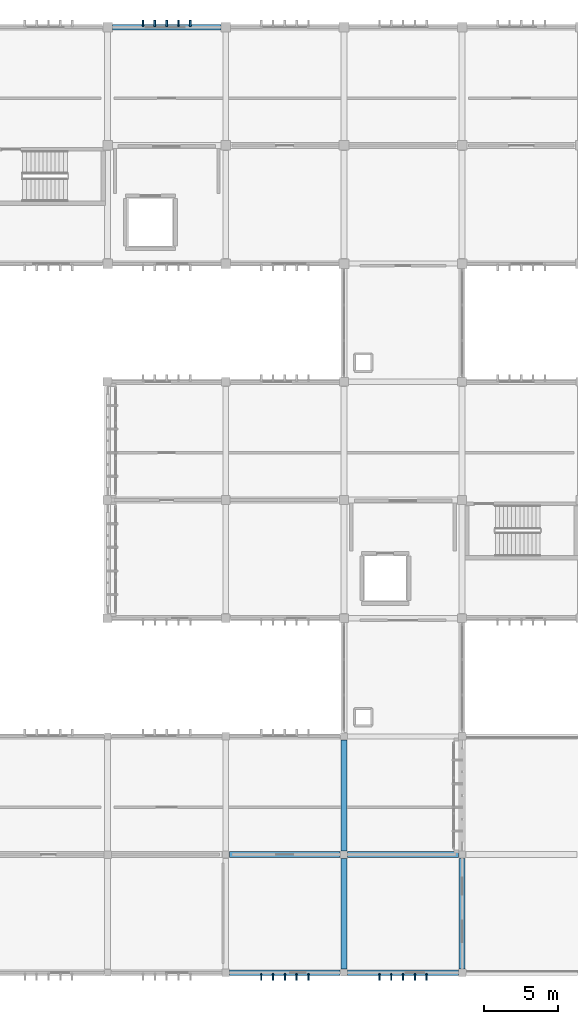
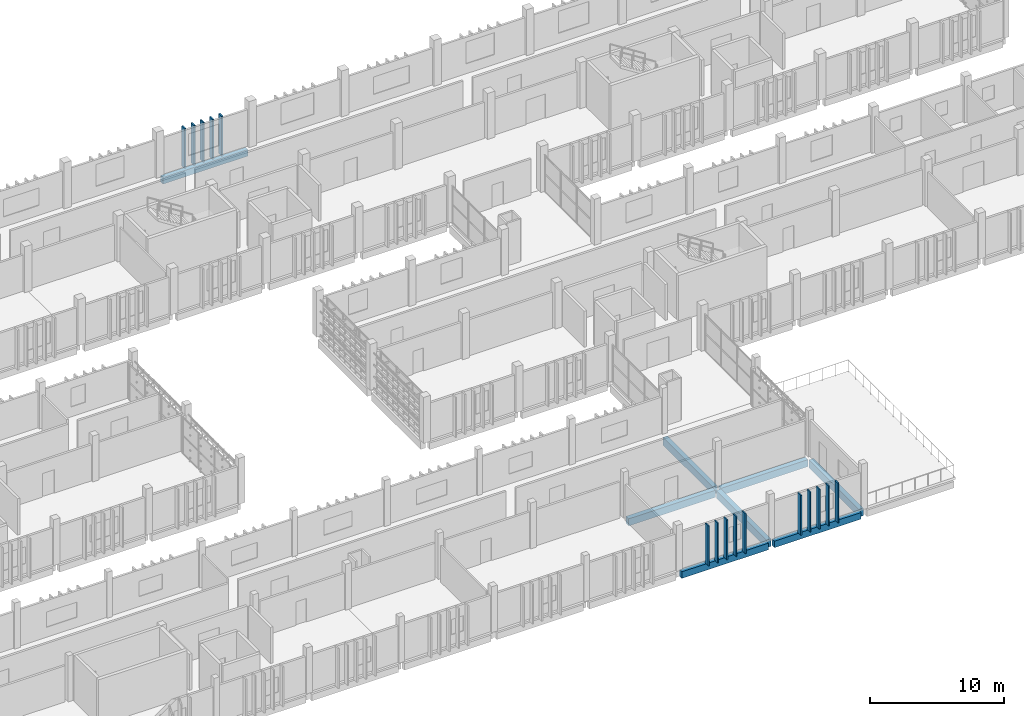
# One storey, part 27 of 63: 15 members, 8 beams.
"""IFC4 building model written with IfcOpenShell, lengths in metres."""

from ifc_helpers import new_model, si_unit, direction, frame, origin, origin_2d, place, context, subcontext, project, spatial, rectangle, extrude, material, material_profile, profile_set, type_object, element, save


model = new_model("IFC4")

# Units and contexts
model_context = context("Model", 3, precision=1e-05, world=origin(), true_north=direction((0.0, 1.0)))
body_context = subcontext(model_context, "Body", "Model", "MODEL_VIEW")
ifc_project = project(units=[si_unit("LENGTHUNIT", "METRE"), si_unit("AREAUNIT", "SQUARE_METRE"), si_unit("VOLUMEUNIT", "CUBIC_METRE"), si_unit("PLANEANGLEUNIT", "RADIAN"), si_unit("MASSUNIT", "GRAM", prefix="KILO")], contexts=[model_context])

# Site, building, storey
site_placement = place(None, origin())
site = spatial("IfcSite", under=ifc_project, at=site_placement, CompositionType="ELEMENT")
building_placement = place(site_placement, origin())
building = spatial("IfcBuilding", under=site, at=building_placement, Name="Jelvoka-Kovrelna Polytechnic", CompositionType="ELEMENT")
storey_placement = place(building_placement, frame((0.0, 0.0, 18.0)))
storey = spatial("IfcBuildingStorey", under=building, at=storey_placement, Name="L05", CompositionType="ELEMENT", Elevation=18.0)

# Beams
ifc_material_1 = material(Name="Concrete C40/50", Category="concrete")
ifc_material_profile_1 = material_profile(ifc_material_1, rectangle(XDim=0.39990234375, YDim=0.64990234375, at=origin_2d()), Name="RC 400x650")
ifc_profile_set_1 = profile_set([ifc_material_profile_1], Name="Concrete C40/50")
beam_type_1 = type_object("IfcBeamType", Name="Beam_RC_400x650", PredefinedType="BEAM", material=ifc_profile_set_1)
for number, where, z_axis, x_axis, name in (
    (1, (136.2548828125, 16.0, -0.574951171875), (1.0, 0.0, 0.0), (0.0, 1.0, 0.0), "L05 beam 1406"),
    (2, (144.2548828125, 16.0, -0.574951171875), (1.0, 0.0, 0.0), (0.0, 1.0, 0.0), "L05 beam 1407"),
):
    element("IfcBeam", number, at=place(storey_placement, frame(where, z_axis=z_axis, x_axis=x_axis)), inside=storey, type_object=beam_type_1, Name=name, PredefinedType="BEAM", context=body_context, shape_type="SweptSolid", body=[
        extrude(rectangle(XDim=0.39990234375, YDim=0.64990234375, at=origin_2d()), origin(), (0.0, 0.0, 1.0), 7.490234375),
    ])
ifc_material_2 = material(Name="Concrete C40/50", Category="concrete")
ifc_material_profile_2 = material_profile(ifc_material_2, rectangle(XDim=0.39990234375, YDim=0.699951171875, at=origin_2d()), Name="RC 400x700")
ifc_profile_set_2 = profile_set([ifc_material_profile_2], Name="Concrete C40/50")
beam_type_2 = type_object("IfcBeamType", Name="Beam_RC_400x700", PredefinedType="BEAM", material=ifc_profile_set_2)
for number, where, z_axis, x_axis, name in (
    (3, (144.0, 8.2548828125, -0.60009765625), (0.0, 1.0, 0.0), (-1.0, 0.0, 0.0), "L05 beam 1419"),
    (4, (144.0, 16.2548828125, -0.60009765625), (0.0, 1.0, 0.0), (-1.0, 0.0, 0.0), "L05 beam 1420"),
    (5, (152.0, 8.2548828125, -0.60009765625), (0.0, 1.0, 0.0), (-1.0, 0.0, 0.0), "L05 beam 1421"),
):
    element("IfcBeam", number, at=place(storey_placement, frame(where, z_axis=z_axis, x_axis=x_axis)), inside=storey, type_object=beam_type_2, Name=name, PredefinedType="BEAM", context=body_context, shape_type="SweptSolid", body=[
        extrude(rectangle(XDim=0.39990234375, YDim=0.699951171875, at=origin_2d()), origin(), (0.0, 0.0, 1.0), 7.490234375),
    ])

# Members
ifc_material_3 = material(Name="Precast concrete C40/50", Category="concrete")
ifc_material_profile_3 = material_profile(ifc_material_3, rectangle(XDim=0.10009765625, YDim=0.449951171875, at=origin_2d()), Name="PC 100x450")
ifc_profile_set_3 = profile_set([ifc_material_profile_3], Name="Precast concrete C40/50")
member_type_1 = type_object("IfcMemberType", Name="Louvre_Fin_100x450", PredefinedType="USERDEFINED", material=ifc_profile_set_3)
for number, where, z_axis, x_axis, name in (
    (6, (138.39990234375, 7.735107421875, -0.27001953125), (0.0, 0.0, 1.0), (1.0, 0.0, 0.0), "L05 B1 south vertical solar louvre fin 0541"),
    (7, (139.199951171875, 7.735107421875, -0.27001953125), (0.0, 0.0, 1.0), (1.0, 0.0, 0.0), "L05 B1 south vertical solar louvre fin 0542"),
    (8, (140.0, 7.735107421875, -0.27001953125), (0.0, 0.0, 1.0), (1.0, 0.0, 0.0), "L05 B1 south vertical solar louvre fin 0543"),
    (9, (140.800048828125, 7.735107421875, -0.27001953125), (0.0, 0.0, 1.0), (1.0, 0.0, 0.0), "L05 B1 south vertical solar louvre fin 0544"),
    (10, (141.60009765625, 7.735107421875, -0.27001953125), (0.0, 0.0, 1.0), (1.0, 0.0, 0.0), "L05 B1 south vertical solar louvre fin 0545"),
    (11, (146.39990234375, 7.735107421875, -0.27001953125), (0.0, 0.0, 1.0), (1.0, 0.0, 0.0), "L05 B1 south vertical solar louvre fin 0551"),
    (12, (147.199951171875, 7.735107421875, -0.27001953125), (0.0, 0.0, 1.0), (1.0, 0.0, 0.0), "L05 B1 south vertical solar louvre fin 0552"),
    (13, (148.0, 7.735107421875, -0.27001953125), (0.0, 0.0, 1.0), (1.0, 0.0, 0.0), "L05 B1 south vertical solar louvre fin 0553"),
    (14, (148.800048828125, 7.735107421875, -0.27001953125), (0.0, 0.0, 1.0), (1.0, 0.0, 0.0), "L05 B1 south vertical solar louvre fin 0554"),
    (15, (149.60009765625, 7.735107421875, -0.27001953125), (0.0, 0.0, 1.0), (1.0, 0.0, 0.0), "L05 B1 south vertical solar louvre fin 0555"),
):
    element("IfcMember", number, at=place(storey_placement, frame(where, z_axis=z_axis, x_axis=x_axis)), inside=storey, type_object=member_type_1, Name=name, ObjectType="SUNSHADE", PredefinedType="USERDEFINED", context=body_context, shape_type="SweptSolid", body=[
        extrude(rectangle(XDim=0.10009765625, YDim=0.449951171875, at=origin_2d()), origin(), (0.0, 0.0, 1.0), 3.655029296875),
    ])
ifc_material_4 = material(Name="Precast concrete C40/50", Category="concrete")
ifc_material_profile_4 = material_profile(ifc_material_4, rectangle(XDim=0.1201171875, YDim=0.449951171875, at=origin_2d()), Name="PC 120x450")
ifc_profile_set_4 = profile_set([ifc_material_profile_4], Name="Precast concrete C40/50")
member_type_2 = type_object("IfcMemberType", Name="Louvre_Fin_120x450", PredefinedType="USERDEFINED", material=ifc_profile_set_4)
for number, where, z_axis, x_axis, name in (
    (16, (130.39990234375, 72.264892578125, -0.27001953125), (0.0, 0.0, 1.0), (1.0, 0.0, 0.0), "L05 B3 north vertical solar louvre fin 1871"),
    (17, (131.199951171875, 72.264892578125, -0.27001953125), (0.0, 0.0, 1.0), (1.0, 0.0, 0.0), "L05 B3 north vertical solar louvre fin 1872"),
    (18, (132.0, 72.264892578125, -0.27001953125), (0.0, 0.0, 1.0), (1.0, 0.0, 0.0), "L05 B3 north vertical solar louvre fin 1873"),
    (19, (132.800048828125, 72.264892578125, -0.27001953125), (0.0, 0.0, 1.0), (1.0, 0.0, 0.0), "L05 B3 north vertical solar louvre fin 1874"),
    (20, (133.60009765625, 72.264892578125, -0.27001953125), (0.0, 0.0, 1.0), (1.0, 0.0, 0.0), "L05 B3 north vertical solar louvre fin 1875"),
):
    element("IfcMember", number, at=place(storey_placement, frame(where, z_axis=z_axis, x_axis=x_axis)), inside=storey, type_object=member_type_2, Name=name, ObjectType="SUNSHADE", PredefinedType="USERDEFINED", context=body_context, shape_type="SweptSolid", body=[
        extrude(rectangle(XDim=0.1201171875, YDim=0.449951171875, at=origin_2d()), origin(), (0.0, 0.0, 1.0), 3.655029296875),
    ])

# Beams
ifc_material_5 = material(Name="Concrete C40/50", Category="concrete")
ifc_material_profile_5 = material_profile(ifc_material_5, rectangle(XDim=0.35009765625, YDim=0.60009765625, at=origin_2d()), Name="RC 350x600")
ifc_profile_set_5 = profile_set([ifc_material_profile_5], Name="Concrete C40/50")
beam_type_3 = type_object("IfcBeamType", Name="Spandrel_RC_350x600", PredefinedType="SPANDREL", material=ifc_profile_set_5)
for number, where, z_axis, x_axis, name in (
    (21, (136.2548828125, 8.0, -0.550048828125), (1.0, 0.0, 0.0), (0.0, 1.0, 0.0), "L05 beam 1401"),
    (22, (144.2548828125, 8.0, -0.550048828125), (1.0, 0.0, 0.0), (0.0, 1.0, 0.0), "L05 beam 1402"),
):
    element("IfcBeam", number, at=place(storey_placement, frame(where, z_axis=z_axis, x_axis=x_axis)), inside=storey, type_object=beam_type_3, Name=name, PredefinedType="SPANDREL", context=body_context, shape_type="SweptSolid", body=[
        extrude(rectangle(XDim=0.35009765625, YDim=0.60009765625, at=origin_2d()), origin(), (0.0, 0.0, 1.0), 7.490234375),
    ])
beam_placement = place(storey_placement, frame((128.330078125, 72.0, -0.550048828125), z_axis=(1.0, 0.0, 0.0), x_axis=(0.0, 1.0, 0.0)))
element("IfcBeam", 23, at=beam_placement, inside=storey, type_object=beam_type_3, Name="L05 beam 1561", PredefinedType="SPANDREL", context=body_context, shape_type="SweptSolid", body=[
    extrude(rectangle(XDim=0.35009765625, YDim=0.60009765625, at=origin_2d()), origin(), (0.0, 0.0, 1.0), 7.33984375),
])

save(model, "model.ifc")
